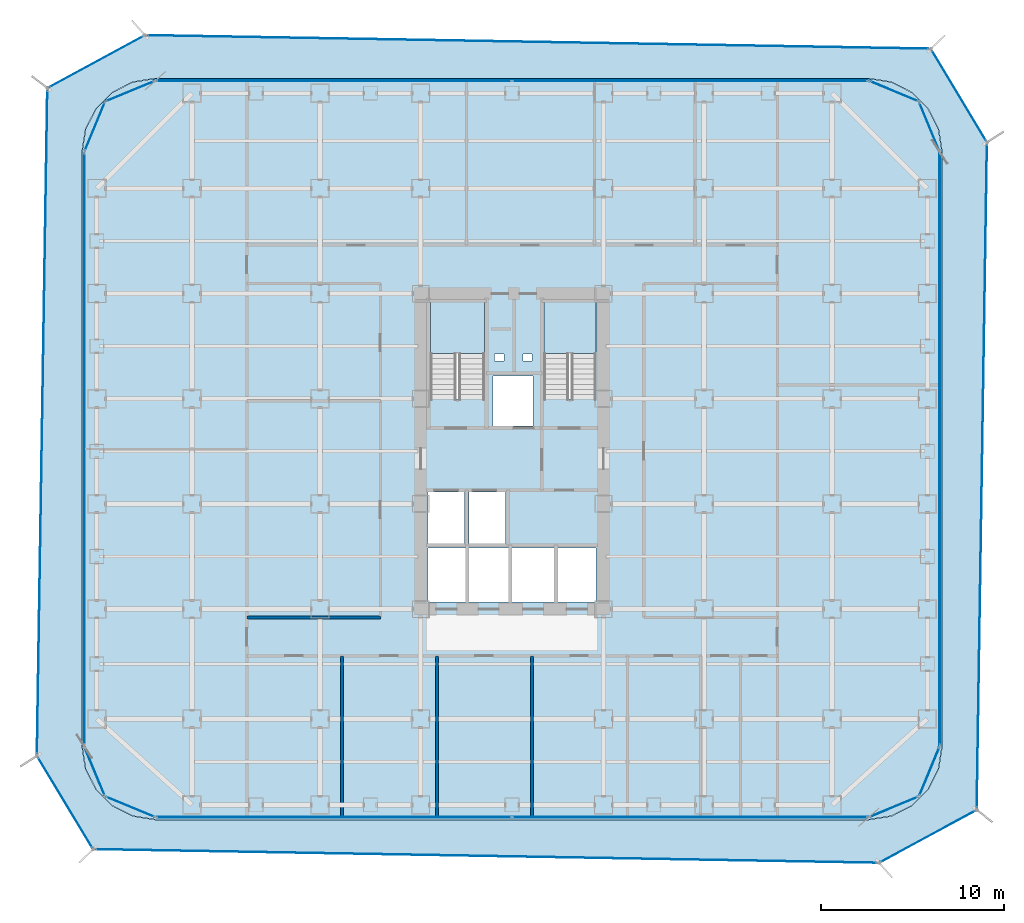
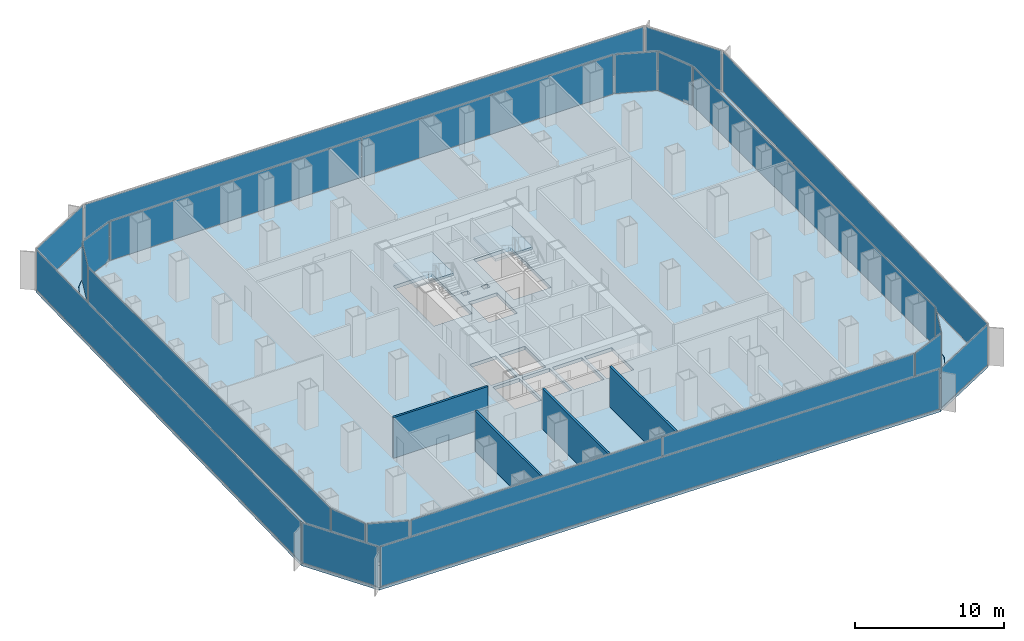
# One storey, part 16 of 22: 22 plates, 4 slabs, 4 walls, 22 elements without a shape of their own.
"""IFC4 building model written with IfcOpenShell, lengths in metres."""

from ifc_helpers import new_model, si_unit, direction, frame, frame_2d, origin, origin_2d, place, context, subcontext, project, spatial, polyline, rectangle, outline, extrude, source, transform, mapped, material, layer, layer_set, type_object, element, aggregate, save


model = new_model("IFC4")

# Units and contexts
model_context = context("Model", 3, precision=1e-05, world=origin(), true_north=direction((0.0, 1.0)))
body_context = subcontext(model_context, "Body", "Model", "MODEL_VIEW")
ifc_project = project(units=[si_unit("LENGTHUNIT", "METRE"), si_unit("AREAUNIT", "SQUARE_METRE"), si_unit("VOLUMEUNIT", "CUBIC_METRE"), si_unit("PLANEANGLEUNIT", "RADIAN"), si_unit("MASSUNIT", "GRAM", prefix="KILO")], contexts=[model_context])

# Site, building, storey
site_placement = place(None, origin())
site = spatial("IfcSite", under=ifc_project, at=site_placement, CompositionType="ELEMENT")
building_placement = place(site_placement, origin())
building = spatial("IfcBuilding", under=site, at=building_placement, Name="Kolveth Station Tower", CompositionType="ELEMENT")
storey_placement = place(building_placement, frame((0.0, 0.0, 54.89990234375)))
storey = spatial("IfcBuildingStorey", under=building, at=storey_placement, Name="L14", CompositionType="ELEMENT", Elevation=54.89990234375)

# Slab
ifc_material_1 = material(Name="Concrete C45/55", Category="concrete")
ifc_layer_1 = layer(ifc_material_1, 0.280029296875)
ifc_layer_set_1 = layer_set([ifc_layer_1], Name="Concrete C45/55")
slab_type_1 = type_object("IfcSlabType", Name="Slab_SF-280", PredefinedType="FLOOR", material=ifc_layer_set_1)
slab_1_placement = place(storey_placement, frame((0.0, 0.0, -0.27978515625)))
element("IfcSlab", 1, at=slab_1_placement, inside=storey, type_object=slab_type_1, Name="L14 Tower Structural Floor Slab", PredefinedType="FLOOR", context=body_context, shape_type="SweptSolid", body=[
    extrude(outline(polyline([(43.0, 0.0), (44.236083984375, 0.19580078125), (45.35107421875, 0.763916015625), (46.236083984375, 1.64892578125), (46.80419921875, 2.763916015625), (47.0, 4.0), (47.0, 36.5), (46.80419921875, 37.736083984375), (46.236083984375, 38.85107421875), (45.35107421875, 39.736083984375), (44.236083984375, 40.30419921875), (43.0, 40.5), (4.0, 40.5), (2.763916015625, 40.30419921875), (1.64892578125, 39.736083984375), (0.763916015625, 38.85107421875), (0.19580078125, 37.736083984375), (0.0, 36.5), (0.0, 4.0), (0.19580078125, 2.763916015625), (0.763916015625, 1.64892578125), (1.64892578125, 0.763916015625), (2.763916015625, 0.19580078125), (4.0, 0.0), (43.0, 0.0)]), holes=[polyline([(19.0400390625, 22.985107421875), (22.0, 22.985107421875), (22.0, 28.39990234375), (19.0400390625, 28.39990234375), (19.0400390625, 22.985107421875)]), polyline([(25.239990234375, 22.985107421875), (28.10009765625, 22.985107421875), (28.10009765625, 28.39990234375), (25.239990234375, 28.39990234375), (25.239990234375, 22.985107421875)]), polyline([(18.89990234375, 15.10009765625), (20.89990234375, 15.10009765625), (20.89990234375, 17.89990234375), (18.89990234375, 17.89990234375), (18.89990234375, 15.10009765625)]), polyline([(21.14990234375, 15.10009765625), (23.14990234375, 15.10009765625), (23.14990234375, 17.89990234375), (21.14990234375, 17.89990234375), (21.14990234375, 15.10009765625)]), polyline([(22.449951171875, 21.5), (24.64990234375, 21.5), (24.64990234375, 24.25), (22.449951171875, 24.25), (22.449951171875, 21.5)]), polyline([(18.89990234375, 11.89990234375), (20.949951171875, 11.89990234375), (20.949951171875, 14.85009765625), (18.89990234375, 14.85009765625), (18.89990234375, 11.89990234375)]), polyline([(21.14990234375, 11.89990234375), (23.300048828125, 11.89990234375), (23.300048828125, 14.85009765625), (21.14990234375, 14.85009765625), (21.14990234375, 11.89990234375)]), polyline([(23.5, 11.89990234375), (25.800048828125, 11.89990234375), (25.800048828125, 14.85009765625), (23.5, 14.85009765625), (23.5, 11.89990234375)]), polyline([(26.0, 11.89990234375), (28.10009765625, 11.89990234375), (28.10009765625, 14.85009765625), (26.0, 14.85009765625), (26.0, 11.89990234375)]), polyline([(22.550048828125, 25.050048828125), (23.050048828125, 25.050048828125), (23.050048828125, 25.449951171875), (22.550048828125, 25.449951171875), (22.550048828125, 25.050048828125)]), polyline([(24.10009765625, 25.050048828125), (24.60009765625, 25.050048828125), (24.60009765625, 25.449951171875), (24.10009765625, 25.449951171875), (24.10009765625, 25.050048828125)])]), origin(), (0.0, 0.0, 1.0), 0.27978515625),
])

# Stair, slab
ifc_material_2 = material(Name="Concrete C40/50", Category="concrete")
stair_type_1 = type_object("IfcStairType", Name="Stair_ST2", PredefinedType="HALF_TURN_STAIR", material=ifc_material_2)
stair_1_placement = place(storey_placement, origin())
stair_1 = element("IfcStair", 2, at=stair_1_placement, inside=storey, type_object=stair_type_1, Name="L14 Tower Exit Stair ST2", PredefinedType="HALF_TURN_STAIR")
ifc_layer_2 = layer(ifc_material_2, 0.18994140625)
ifc_layer_set_2 = layer_set([ifc_layer_2], Name="Concrete C40/50")
slab_type_2 = type_object("IfcSlabType", Name="Slab_SL-190", PredefinedType="LANDING", material=ifc_layer_set_2)
slab_2_placement = place(storey_placement, frame((0.0, 0.0, 1.60009765625)))
slab_2 = element("IfcSlab", 3, at=slab_2_placement, type_object=slab_type_2, Name="ST2 landing 1", PredefinedType="LANDING", context=body_context, shape_type="SweptSolid", body=[
    extrude(outline(polyline([(28.10009765625, 25.469970703125), (28.10009765625, 28.39990234375), (25.239990234375, 28.39990234375), (25.239990234375, 25.469970703125), (28.10009765625, 25.469970703125)])), origin(), (0.0, 0.0, 1.0), 0.199951171875),
])
aggregate(stair_1, [slab_2])

stair_type_2 = type_object("IfcStairType", Name="Stair_ST1", PredefinedType="HALF_TURN_STAIR", material=ifc_material_2)
stair_2_placement = place(storey_placement, origin())
stair_2 = element("IfcStair", 4, at=stair_2_placement, inside=storey, type_object=stair_type_2, Name="L14 Tower Exit Stair ST1", PredefinedType="HALF_TURN_STAIR")
ifc_layer_3 = layer(ifc_material_2, 0.205078125)
ifc_layer_set_3 = layer_set([ifc_layer_3], Name="Concrete C40/50")
slab_type_3 = type_object("IfcSlabType", Name="Slab_SL-205", PredefinedType="LANDING", material=ifc_layer_set_3)
slab_3_placement = place(storey_placement, frame((0.0, 0.0, 1.60009765625)))
slab_3 = element("IfcSlab", 5, at=slab_3_placement, type_object=slab_type_3, Name="ST1 landing 1", PredefinedType="LANDING", context=body_context, shape_type="SweptSolid", body=[
    extrude(outline(polyline([(22.0, 25.469970703125), (22.0, 28.39990234375), (19.0400390625, 28.39990234375), (19.0400390625, 25.469970703125), (22.0, 25.469970703125)])), origin(), (0.0, 0.0, 1.0), 0.199951171875),
])
aggregate(stair_2, [slab_3])

# Slab
ifc_layer_4 = layer(ifc_material_2, 0.2099609375)
ifc_layer_set_4 = layer_set([ifc_layer_4], Name="Concrete C40/50")
slab_type_4 = type_object("IfcSlabType", Name="Slab_ST-210", PredefinedType="FLOOR", material=ifc_layer_set_4)
slab_4_placement = place(storey_placement, frame((0.0, 0.0, -0.2099609375)))
element("IfcSlab", 6, at=slab_4_placement, inside=storey, type_object=slab_type_4, Name="L14 Double-Skin Cavity Structural Ledger Ring", PredefinedType="FLOOR", context=body_context, shape_type="SweptSolid", body=[
    extrude(outline(polyline([(0.605712890625, -1.62646484375), (-2.469482421875, 3.48046875), (-1.898681640625, 39.976318359375), (3.433837890625, 42.869384765625), (46.396240234375, 42.1298828125), (49.465087890625, 37.018798828125), (48.905029296875, 0.52001953125), (43.56640625, -2.37158203125), (0.605712890625, -1.62646484375)]), holes=[polyline([(43.002197265625, -0.014892578125), (44.23828125, 0.180908203125), (44.242919921875, 0.182373046875), (45.35791015625, 0.75048828125), (45.36181640625, 0.75341796875), (46.24658203125, 1.63818359375), (46.24951171875, 1.64208984375), (46.817626953125, 2.757080078125), (46.819091796875, 2.76171875), (47.014892578125, 3.997802734375), (47.014892578125, 4.0), (47.014892578125, 36.5), (47.014892578125, 36.502197265625), (46.819091796875, 37.73828125), (46.817626953125, 37.742919921875), (46.24951171875, 38.85791015625), (46.24658203125, 38.86181640625), (45.36181640625, 39.74658203125), (45.35791015625, 39.74951171875), (44.242919921875, 40.317626953125), (44.23828125, 40.319091796875), (43.002197265625, 40.514892578125), (43.0, 40.514892578125), (4.0, 40.514892578125), (3.997802734375, 40.514892578125), (2.76171875, 40.319091796875), (2.757080078125, 40.317626953125), (1.64208984375, 39.74951171875), (1.63818359375, 39.74658203125), (0.75341796875, 38.86181640625), (0.75048828125, 38.85791015625), (0.182373046875, 37.742919921875), (0.180908203125, 37.73828125), (-0.014892578125, 36.502197265625), (-0.014892578125, 36.5), (-0.014892578125, 4.0), (-0.014892578125, 3.997802734375), (0.180908203125, 2.76171875), (0.182373046875, 2.757080078125), (0.75048828125, 1.64208984375), (0.75341796875, 1.63818359375), (1.63818359375, 0.75341796875), (1.64208984375, 0.75048828125), (2.757080078125, 0.182373046875), (2.76171875, 0.180908203125), (3.997802734375, -0.014892578125), (4.0, -0.014892578125), (43.0, -0.014892578125), (43.002197265625, -0.014892578125)])]), origin(), (0.0, 0.0, 1.0), 0.2099609375),
])

# Curtain wall, plate
ifc_material_3 = material(Name="Aluminium 6063-T6 and low-E dark glass", Category="aluminium")
ifc_layer_5 = layer(ifc_material_3, 0.179931640625)
ifc_layer_set_5 = layer_set([ifc_layer_5], Name="Aluminium 6063-T6 and low-E dark glass")
curtain_wall_type_1 = type_object("IfcCurtainWallType", Name="CurtainWall_CW-Z1", PredefinedType="NOTDEFINED", material=ifc_layer_set_5)
curtain_wall_1_placement = place(storey_placement, origin())
curtain_wall_1 = element("IfcCurtainWall", 7, at=curtain_wall_1_placement, inside=storey, type_object=curtain_wall_type_1, Name="L14 Inner Thermal Curtain Wall 1", PredefinedType="NOTDEFINED")
ifc_material_4 = material(Name="Architectural low-E dark glass", Category="glass")
ifc_layer_6 = layer(ifc_material_4, 0.035888671875)
ifc_layer_set_6 = layer_set([ifc_layer_6], Name="Architectural low-E dark glass")
plate_type_1 = type_object("IfcPlateType", Name="Panel_GL1", PredefinedType="CURTAIN_PANEL", material=ifc_layer_set_6)
shared_shape_1 = source(origin(), body_context, "Body", "SweptSolid", [
    extrude(rectangle(XDim=2.83349609375, YDim=0.035888671875, at=origin_2d()), origin(), (0.0, 0.0, 1.0), 3.18408203125),
])
plate_1_placement = place(storey_placement, frame((44.371826171875, 0.688232421875, 0.068115234375), z_axis=(0.0, 0.0, 1.0), x_axis=(0.923883857728, 0.382672990201, 0.0)))
plate_1 = element("IfcPlate", 8, at=plate_1_placement, type_object=plate_type_1, Name="CW-Z1 panel 1.1", PredefinedType="CURTAIN_PANEL", context=body_context, shape_type="MappedRepresentation", body=[
    mapped(shared_shape_1, transform((0.0, 0.0, 0.0), x_axis=(1.0, 0.0, 0.0), y_axis=(0.0, 1.0, 0.0), z_axis=(0.0, 0.0, 1.0), scale=1.0)),
])
aggregate(curtain_wall_1, [plate_1])

curtain_wall_2_placement = place(storey_placement, origin())
curtain_wall_2 = element("IfcCurtainWall", 9, at=curtain_wall_2_placement, inside=storey, type_object=curtain_wall_type_1, Name="L14 Inner Thermal Curtain Wall 2", PredefinedType="NOTDEFINED")
plate_2_placement = place(storey_placement, frame((46.311767578125, 2.628173828125, 0.068115234375), z_axis=(0.0, 0.0, 1.0), x_axis=(0.382672990201, 0.923883857728, 0.0)))
plate_2 = element("IfcPlate", 10, at=plate_2_placement, type_object=plate_type_1, Name="CW-Z1 panel 1.1", PredefinedType="CURTAIN_PANEL", context=body_context, shape_type="MappedRepresentation", body=[
    mapped(shared_shape_1, transform((0.0, 0.0, 0.0), x_axis=(1.0, 0.0, 0.0), y_axis=(0.0, 1.0, 0.0), z_axis=(0.0, 0.0, 1.0), scale=1.0)),
])
aggregate(curtain_wall_2, [plate_2])

curtain_wall_3_placement = place(storey_placement, origin())
curtain_wall_3 = element("IfcCurtainWall", 11, at=curtain_wall_3_placement, inside=storey, type_object=curtain_wall_type_1, Name="L14 Inner Thermal Curtain Wall 4", PredefinedType="NOTDEFINED")
plate_3_placement = place(storey_placement, frame((46.311767578125, 37.871826171875, 0.068115234375), z_axis=(0.0, 0.0, 1.0), x_axis=(-0.382672990201, 0.923883857728, 0.0)))
plate_3 = element("IfcPlate", 12, at=plate_3_placement, type_object=plate_type_1, Name="CW-Z1 panel 1.1", PredefinedType="CURTAIN_PANEL", context=body_context, shape_type="MappedRepresentation", body=[
    mapped(shared_shape_1, transform((0.0, 0.0, 0.0), x_axis=(1.0, 0.0, 0.0), y_axis=(0.0, 1.0, 0.0), z_axis=(0.0, 0.0, 1.0), scale=1.0)),
])
aggregate(curtain_wall_3, [plate_3])

curtain_wall_4_placement = place(storey_placement, origin())
curtain_wall_4 = element("IfcCurtainWall", 13, at=curtain_wall_4_placement, inside=storey, type_object=curtain_wall_type_1, Name="L14 Inner Thermal Curtain Wall 5", PredefinedType="NOTDEFINED")
plate_4_placement = place(storey_placement, frame((44.371826171875, 39.811767578125, 0.068115234375), z_axis=(0.0, 0.0, 1.0), x_axis=(-0.923883857728, 0.382672990201, 0.0)))
plate_4 = element("IfcPlate", 14, at=plate_4_placement, type_object=plate_type_1, Name="CW-Z1 panel 1.1", PredefinedType="CURTAIN_PANEL", context=body_context, shape_type="MappedRepresentation", body=[
    mapped(shared_shape_1, transform((0.0, 0.0, 0.0), x_axis=(1.0, 0.0, 0.0), y_axis=(0.0, 1.0, 0.0), z_axis=(0.0, 0.0, 1.0), scale=1.0)),
])
aggregate(curtain_wall_4, [plate_4])

curtain_wall_5_placement = place(storey_placement, origin())
curtain_wall_5 = element("IfcCurtainWall", 15, at=curtain_wall_5_placement, inside=storey, type_object=curtain_wall_type_1, Name="L14 Inner Thermal Curtain Wall 7", PredefinedType="NOTDEFINED")
plate_5_placement = place(storey_placement, frame((2.628173828125, 39.811767578125, 0.068115234375), z_axis=(0.0, 0.0, 1.0), x_axis=(-0.923883857728, -0.382672990201, 0.0)))
plate_5 = element("IfcPlate", 16, at=plate_5_placement, type_object=plate_type_1, Name="CW-Z1 panel 1.1", PredefinedType="CURTAIN_PANEL", context=body_context, shape_type="MappedRepresentation", body=[
    mapped(shared_shape_1, transform((0.0, 0.0, 0.0), x_axis=(1.0, 0.0, 0.0), y_axis=(0.0, 1.0, 0.0), z_axis=(0.0, 0.0, 1.0), scale=1.0)),
])
aggregate(curtain_wall_5, [plate_5])

curtain_wall_6_placement = place(storey_placement, origin())
curtain_wall_6 = element("IfcCurtainWall", 17, at=curtain_wall_6_placement, inside=storey, type_object=curtain_wall_type_1, Name="L14 Inner Thermal Curtain Wall 8", PredefinedType="NOTDEFINED")
plate_6_placement = place(storey_placement, frame((0.688232421875, 37.871826171875, 0.068115234375), z_axis=(0.0, 0.0, 1.0), x_axis=(-0.382672990201, -0.923883857728, 0.0)))
plate_6 = element("IfcPlate", 18, at=plate_6_placement, type_object=plate_type_1, Name="CW-Z1 panel 1.1", PredefinedType="CURTAIN_PANEL", context=body_context, shape_type="MappedRepresentation", body=[
    mapped(shared_shape_1, transform((0.0, 0.0, 0.0), x_axis=(1.0, 0.0, 0.0), y_axis=(0.0, 1.0, 0.0), z_axis=(0.0, 0.0, 1.0), scale=1.0)),
])
aggregate(curtain_wall_6, [plate_6])

curtain_wall_7_placement = place(storey_placement, origin())
curtain_wall_7 = element("IfcCurtainWall", 19, at=curtain_wall_7_placement, inside=storey, type_object=curtain_wall_type_1, Name="L14 Inner Thermal Curtain Wall 10", PredefinedType="NOTDEFINED")
plate_7_placement = place(storey_placement, frame((0.688232421875, 2.628173828125, 0.068115234375), z_axis=(0.0, 0.0, 1.0), x_axis=(0.382672990201, -0.923883857728, 0.0)))
plate_7 = element("IfcPlate", 20, at=plate_7_placement, type_object=plate_type_1, Name="CW-Z1 panel 1.1", PredefinedType="CURTAIN_PANEL", context=body_context, shape_type="MappedRepresentation", body=[
    mapped(shared_shape_1, transform((0.0, 0.0, 0.0), x_axis=(1.0, 0.0, 0.0), y_axis=(0.0, 1.0, 0.0), z_axis=(0.0, 0.0, 1.0), scale=1.0)),
])
aggregate(curtain_wall_7, [plate_7])

curtain_wall_8_placement = place(storey_placement, origin())
curtain_wall_8 = element("IfcCurtainWall", 21, at=curtain_wall_8_placement, inside=storey, type_object=curtain_wall_type_1, Name="L14 Inner Thermal Curtain Wall 11", PredefinedType="NOTDEFINED")
plate_8_placement = place(storey_placement, frame((2.628173828125, 0.688232421875, 0.068115234375), z_axis=(0.0, 0.0, 1.0), x_axis=(0.923883857728, -0.382672990201, 0.0)))
plate_8 = element("IfcPlate", 22, at=plate_8_placement, type_object=plate_type_1, Name="CW-Z1 panel 1.1", PredefinedType="CURTAIN_PANEL", context=body_context, shape_type="MappedRepresentation", body=[
    mapped(shared_shape_1, transform((0.0, 0.0, 0.0), x_axis=(1.0, 0.0, 0.0), y_axis=(0.0, 1.0, 0.0), z_axis=(0.0, 0.0, 1.0), scale=1.0)),
])
aggregate(curtain_wall_8, [plate_8])

curtain_wall_9_placement = place(storey_placement, origin())
curtain_wall_9 = element("IfcCurtainWall", 23, at=curtain_wall_9_placement, inside=storey, type_object=curtain_wall_type_1, Name="L14 Inner Thermal Curtain Wall 3", PredefinedType="NOTDEFINED")
shared_shape_2 = source(origin(), body_context, "Body", "SweptSolid", [
    extrude(rectangle(XDim=32.364013671875, YDim=0.035888671875, at=origin_2d()), origin(), (0.0, 0.0, 1.0), 3.18408203125),
])
plate_9_placement = place(storey_placement, frame((46.8798828125, 20.25, 0.068115234375), z_axis=(0.0, 0.0, 1.0), x_axis=(0.0, 1.0, 0.0)))
plate_9 = element("IfcPlate", 24, at=plate_9_placement, type_object=plate_type_1, Name="CW-Z1 panel 1.1", PredefinedType="CURTAIN_PANEL", context=body_context, shape_type="MappedRepresentation", body=[
    mapped(shared_shape_2, transform((0.0, 0.0, 0.0), x_axis=(1.0, 0.0, 0.0), y_axis=(0.0, 1.0, 0.0), z_axis=(0.0, 0.0, 1.0), scale=1.0)),
])
aggregate(curtain_wall_9, [plate_9])

curtain_wall_10_placement = place(storey_placement, origin())
curtain_wall_10 = element("IfcCurtainWall", 25, at=curtain_wall_10_placement, inside=storey, type_object=curtain_wall_type_1, Name="L14 Inner Thermal Curtain Wall 9", PredefinedType="NOTDEFINED")
plate_10_placement = place(storey_placement, frame((0.1201171875, 20.25, 0.068115234375), z_axis=(0.0, 0.0, 1.0), x_axis=(0.0, -1.0, 0.0)))
plate_10 = element("IfcPlate", 26, at=plate_10_placement, type_object=plate_type_1, Name="CW-Z1 panel 1.1", PredefinedType="CURTAIN_PANEL", context=body_context, shape_type="MappedRepresentation", body=[
    mapped(shared_shape_2, transform((0.0, 0.0, 0.0), x_axis=(1.0, 0.0, 0.0), y_axis=(0.0, 1.0, 0.0), z_axis=(0.0, 0.0, 1.0), scale=1.0)),
])
aggregate(curtain_wall_10, [plate_10])

# Curtain wall, plates
curtain_wall_11_placement = place(storey_placement, origin())
curtain_wall_11 = element("IfcCurtainWall", 27, at=curtain_wall_11_placement, inside=storey, type_object=curtain_wall_type_1, Name="L14 Inner Thermal Curtain Wall 6", PredefinedType="NOTDEFINED")
shared_shape_3 = source(origin(), body_context, "Body", "SweptSolid", [
    extrude(rectangle(XDim=19.401611328125, YDim=0.035888671875, at=origin_2d()), origin(), (0.0, 0.0, 1.0), 3.18408203125),
])
plate_11_placement = place(storey_placement, frame((33.231201171875, 40.3798828125, 0.068115234375), z_axis=(0.0, 0.0, 1.0), x_axis=(-1.0, 0.0, 0.0)))
plate_11 = element("IfcPlate", 28, at=plate_11_placement, type_object=plate_type_1, Name="CW-Z1 panel 1.1", PredefinedType="CURTAIN_PANEL", context=body_context, shape_type="MappedRepresentation", body=[
    mapped(shared_shape_3, transform((0.0, 0.0, 0.0), x_axis=(1.0, 0.0, 0.0), y_axis=(0.0, 1.0, 0.0), z_axis=(0.0, 0.0, 1.0), scale=1.0)),
])
plate_12_placement = place(storey_placement, frame((13.768798828125, 40.3798828125, 0.068115234375), z_axis=(0.0, 0.0, 1.0), x_axis=(-1.0, 0.0, 0.0)))
plate_12 = element("IfcPlate", 29, at=plate_12_placement, type_object=plate_type_1, Name="CW-Z1 panel 2.1", PredefinedType="CURTAIN_PANEL", context=body_context, shape_type="MappedRepresentation", body=[
    mapped(shared_shape_3, transform((0.0, 0.0, 0.0), x_axis=(1.0, 0.0, 0.0), y_axis=(0.0, 1.0, 0.0), z_axis=(0.0, 0.0, 1.0), scale=1.0)),
])
aggregate(curtain_wall_11, [plate_11, plate_12])

curtain_wall_12_placement = place(storey_placement, origin())
curtain_wall_12 = element("IfcCurtainWall", 30, at=curtain_wall_12_placement, inside=storey, type_object=curtain_wall_type_1, Name="L14 Inner Thermal Curtain Wall 12", PredefinedType="NOTDEFINED")
plate_13_placement = place(storey_placement, frame((13.768798828125, 0.1201171875, 0.068115234375), z_axis=(0.0, 0.0, 1.0), x_axis=(1.0, 0.0, 0.0)))
plate_13 = element("IfcPlate", 31, at=plate_13_placement, type_object=plate_type_1, Name="CW-Z1 panel 1.1", PredefinedType="CURTAIN_PANEL", context=body_context, shape_type="MappedRepresentation", body=[
    mapped(shared_shape_3, transform((0.0, 0.0, 0.0), x_axis=(1.0, 0.0, 0.0), y_axis=(0.0, 1.0, 0.0), z_axis=(0.0, 0.0, 1.0), scale=1.0)),
])
plate_14_placement = place(storey_placement, frame((33.231201171875, 0.1201171875, 0.068115234375), z_axis=(0.0, 0.0, 1.0), x_axis=(1.0, 0.0, 0.0)))
plate_14 = element("IfcPlate", 32, at=plate_14_placement, type_object=plate_type_1, Name="CW-Z1 panel 2.1", PredefinedType="CURTAIN_PANEL", context=body_context, shape_type="MappedRepresentation", body=[
    mapped(shared_shape_3, transform((0.0, 0.0, 0.0), x_axis=(1.0, 0.0, 0.0), y_axis=(0.0, 1.0, 0.0), z_axis=(0.0, 0.0, 1.0), scale=1.0)),
])
aggregate(curtain_wall_12, [plate_13, plate_14])

# Curtain wall, plate
ifc_material_5 = material(Name="Black anodized aluminium 6063-T6 and dark solar glass", Category="aluminium")
ifc_layer_7 = layer(ifc_material_5, 0.159912109375)
ifc_layer_set_7 = layer_set([ifc_layer_7], Name="Black anodized aluminium 6063-T6 and dark solar glass")
curtain_wall_type_2 = type_object("IfcCurtainWallType", Name="OUTER SKIN CW-OS", PredefinedType="NOTDEFINED", material=ifc_layer_set_7)
curtain_wall_13_placement = place(storey_placement, origin())
curtain_wall_13 = element("IfcCurtainWall", 33, at=curtain_wall_13_placement, inside=storey, type_object=curtain_wall_type_2, Name="L14 Outer Ventilated Skin Curtain Wall 1", PredefinedType="NOTDEFINED")
ifc_layer_8 = layer(ifc_material_4, 0.028076171875)
ifc_layer_set_8 = layer_set([ifc_layer_8], Name="Architectural low-E dark glass")
plate_type_2 = type_object("IfcPlateType", Name="Panel_GL-OS", PredefinedType="CURTAIN_PANEL", material=ifc_layer_set_8)
shared_shape_4 = source(origin(), body_context, "Body", "SweptSolid", [
    extrude(rectangle(XDim=5.9052734375, YDim=0.028076171875, at=origin_2d()), origin(), (0.0, 0.0, 1.0), 3.243896484375),
])
plate_15_placement = place(storey_placement, frame((46.23583984375, -0.92578125, 0.0732421875), z_axis=(0.0, 0.0, 1.0), x_axis=(0.879315533216, 0.476239638256, 0.0)))
plate_15 = element("IfcPlate", 34, at=plate_15_placement, type_object=plate_type_2, Name="CW-OS panel 1.1", PredefinedType="CURTAIN_PANEL", context=body_context, shape_type="MappedRepresentation", body=[
    mapped(shared_shape_4, transform((0.0, 0.0, 0.0), x_axis=(1.0, 0.0, 0.0), y_axis=(0.0, 1.0, 0.0), z_axis=(0.0, 0.0, 1.0), scale=1.0)),
])
aggregate(curtain_wall_13, [plate_15])

curtain_wall_14_placement = place(storey_placement, origin())
curtain_wall_14 = element("IfcCurtainWall", 35, at=curtain_wall_14_placement, inside=storey, type_object=curtain_wall_type_2, Name="L14 Outer Ventilated Skin Curtain Wall 2", PredefinedType="NOTDEFINED")
shared_shape_5 = source(origin(), body_context, "Body", "SweptSolid", [
    extrude(rectangle(XDim=36.33740234375, YDim=0.028076171875, at=origin_2d()), origin(), (0.0, 0.0, 1.0), 3.243896484375),
])
plate_16_placement = place(storey_placement, frame((49.18505859375, 18.769287109375, 0.0732421875), z_axis=(0.0, 0.0, 1.0), x_axis=(0.015341080531, 0.9998823187, 0.0)))
plate_16 = element("IfcPlate", 36, at=plate_16_placement, type_object=plate_type_2, Name="CW-OS panel 1.1", PredefinedType="CURTAIN_PANEL", context=body_context, shape_type="MappedRepresentation", body=[
    mapped(shared_shape_5, transform((0.0, 0.0, 0.0), x_axis=(1.0, 0.0, 0.0), y_axis=(0.0, 1.0, 0.0), z_axis=(0.0, 0.0, 1.0), scale=1.0)),
])
aggregate(curtain_wall_14, [plate_16])

curtain_wall_15_placement = place(storey_placement, origin())
curtain_wall_15 = element("IfcCurtainWall", 37, at=curtain_wall_15_placement, inside=storey, type_object=curtain_wall_type_2, Name="L14 Outer Ventilated Skin Curtain Wall 3", PredefinedType="NOTDEFINED")
shared_shape_6 = source(origin(), body_context, "Body", "SweptSolid", [
    extrude(rectangle(XDim=5.795654296875, YDim=0.028076171875, at=origin_2d()), origin(), (0.0, 0.0, 1.0), 3.243896484375),
])
plate_17_placement = place(storey_placement, frame((47.9306640625, 39.574462890625, 0.0732421875), z_axis=(0.0, 0.0, 1.0), x_axis=(-0.514779406387, 0.85732267132, 0.0)))
plate_17 = element("IfcPlate", 38, at=plate_17_placement, type_object=plate_type_2, Name="CW-OS panel 1.1", PredefinedType="CURTAIN_PANEL", context=body_context, shape_type="MappedRepresentation", body=[
    mapped(shared_shape_6, transform((0.0, 0.0, 0.0), x_axis=(1.0, 0.0, 0.0), y_axis=(0.0, 1.0, 0.0), z_axis=(0.0, 0.0, 1.0), scale=1.0)),
])
aggregate(curtain_wall_15, [plate_17])

curtain_wall_16_placement = place(storey_placement, origin())
curtain_wall_16 = element("IfcCurtainWall", 39, at=curtain_wall_16_placement, inside=storey, type_object=curtain_wall_type_2, Name="L14 Outer Ventilated Skin Curtain Wall 4", PredefinedType="NOTDEFINED")
shared_shape_7 = source(origin(), body_context, "Body", "SweptSolid", [
    extrude(rectangle(XDim=42.802734375, YDim=0.028076171875, at=origin_2d()), origin(), (0.0, 0.0, 1.0), 3.243896484375),
])
plate_18_placement = place(storey_placement, frame((24.9150390625, 42.499755859375, 0.0732421875), z_axis=(0.0, 0.0, 1.0), x_axis=(-0.999851893949, 0.017210176238, 0.0)))
plate_18 = element("IfcPlate", 40, at=plate_18_placement, type_object=plate_type_2, Name="CW-OS panel 1.1", PredefinedType="CURTAIN_PANEL", context=body_context, shape_type="MappedRepresentation", body=[
    mapped(shared_shape_7, transform((0.0, 0.0, 0.0), x_axis=(1.0, 0.0, 0.0), y_axis=(0.0, 1.0, 0.0), z_axis=(0.0, 0.0, 1.0), scale=1.0)),
])
aggregate(curtain_wall_16, [plate_18])

curtain_wall_17_placement = place(storey_placement, origin())
curtain_wall_17 = element("IfcCurtainWall", 41, at=curtain_wall_17_placement, inside=storey, type_object=curtain_wall_type_2, Name="L14 Outer Ventilated Skin Curtain Wall 5", PredefinedType="NOTDEFINED")
shared_shape_8 = source(origin(), body_context, "Body", "SweptSolid", [
    extrude(rectangle(XDim=5.900634765625, YDim=0.028076171875, at=origin_2d()), origin(), (0.0, 0.0, 1.0), 3.243896484375),
])
plate_19_placement = place(storey_placement, frame((0.767578125, 41.4228515625, 0.0732421875), z_axis=(0.0, 0.0, 1.0), x_axis=(-0.878976819829, -0.476864498787, 0.0)))
plate_19 = element("IfcPlate", 42, at=plate_19_placement, type_object=plate_type_2, Name="CW-OS panel 1.1", PredefinedType="CURTAIN_PANEL", context=body_context, shape_type="MappedRepresentation", body=[
    mapped(shared_shape_8, transform((0.0, 0.0, 0.0), x_axis=(1.0, 0.0, 0.0), y_axis=(0.0, 1.0, 0.0), z_axis=(0.0, 0.0, 1.0), scale=1.0)),
])
aggregate(curtain_wall_17, [plate_19])

curtain_wall_18_placement = place(storey_placement, origin())
curtain_wall_18 = element("IfcCurtainWall", 43, at=curtain_wall_18_placement, inside=storey, type_object=curtain_wall_type_2, Name="L14 Outer Ventilated Skin Curtain Wall 6", PredefinedType="NOTDEFINED")
shared_shape_9 = source(origin(), body_context, "Body", "SweptSolid", [
    extrude(rectangle(XDim=36.33447265625, YDim=0.028076171875, at=origin_2d()), origin(), (0.0, 0.0, 1.0), 3.243896484375),
])
plate_20_placement = place(storey_placement, frame((-2.18408203125, 21.728515625, 0.0732421875), z_axis=(0.0, 0.0, 1.0), x_axis=(-0.015640939495, -0.999877673024, 0.0)))
plate_20 = element("IfcPlate", 44, at=plate_20_placement, type_object=plate_type_2, Name="CW-OS panel 1.1", PredefinedType="CURTAIN_PANEL", context=body_context, shape_type="MappedRepresentation", body=[
    mapped(shared_shape_9, transform((0.0, 0.0, 0.0), x_axis=(1.0, 0.0, 0.0), y_axis=(0.0, 1.0, 0.0), z_axis=(0.0, 0.0, 1.0), scale=1.0)),
])
aggregate(curtain_wall_18, [plate_20])

curtain_wall_19_placement = place(storey_placement, origin())
curtain_wall_19 = element("IfcCurtainWall", 45, at=curtain_wall_19_placement, inside=storey, type_object=curtain_wall_type_2, Name="L14 Outer Ventilated Skin Curtain Wall 7", PredefinedType="NOTDEFINED")
shared_shape_10 = source(origin(), body_context, "Body", "SweptSolid", [
    extrude(rectangle(XDim=5.79541015625, YDim=0.028076171875, at=origin_2d()), origin(), (0.0, 0.0, 1.0), 3.243896484375),
])
plate_21_placement = place(storey_placement, frame((-0.931884765625, 0.927001953125, 0.0732421875), z_axis=(0.0, 0.0, 1.0), x_axis=(0.515864189537, -0.856670378823, 0.0)))
plate_21 = element("IfcPlate", 46, at=plate_21_placement, type_object=plate_type_2, Name="CW-OS panel 1.1", PredefinedType="CURTAIN_PANEL", context=body_context, shape_type="MappedRepresentation", body=[
    mapped(shared_shape_10, transform((0.0, 0.0, 0.0), x_axis=(1.0, 0.0, 0.0), y_axis=(0.0, 1.0, 0.0), z_axis=(0.0, 0.0, 1.0), scale=1.0)),
])
aggregate(curtain_wall_19, [plate_21])

curtain_wall_20_placement = place(storey_placement, origin())
curtain_wall_20 = element("IfcCurtainWall", 47, at=curtain_wall_20_placement, inside=storey, type_object=curtain_wall_type_2, Name="L14 Outer Ventilated Skin Curtain Wall 8", PredefinedType="NOTDEFINED")
shared_shape_11 = source(origin(), body_context, "Body", "SweptSolid", [
    extrude(rectangle(XDim=42.80126953125, YDim=0.028076171875, at=origin_2d()), origin(), (0.0, 0.0, 1.0), 3.243896484375),
])
plate_22_placement = place(storey_placement, frame((22.086181640625, -1.9990234375, 0.0732421875), z_axis=(0.0, 0.0, 1.0), x_axis=(0.999849671996, -0.017338783395, 0.0)))
plate_22 = element("IfcPlate", 48, at=plate_22_placement, type_object=plate_type_2, Name="CW-OS panel 1.1", PredefinedType="CURTAIN_PANEL", context=body_context, shape_type="MappedRepresentation", body=[
    mapped(shared_shape_11, transform((0.0, 0.0, 0.0), x_axis=(1.0, 0.0, 0.0), y_axis=(0.0, 1.0, 0.0), z_axis=(0.0, 0.0, 1.0), scale=1.0)),
])
aggregate(curtain_wall_20, [plate_22])

# Walls
ifc_material_6 = material(Name="Acoustic double-stud gypsum partition")
ifc_layer_9 = layer(ifc_material_6, 0.1650390625)
ifc_layer_set_9 = layer_set([ifc_layer_9], Name="Acoustic double-stud gypsum partition")
wall_type = type_object("IfcWallType", Name="Wall_IW-165", PredefinedType="PARTITIONING", material=ifc_layer_set_9)
wall_placement = place(storey_placement, frame((9.0, 11.050048828125, 0.0), z_axis=(0.0, 0.0, 1.0), x_axis=(1.0, 0.0, 0.0)))
element("IfcWall", 49, at=wall_placement, inside=storey, type_object=wall_type, Name="L14 Partition Wall WL-L14-OSWT", PredefinedType="PARTITIONING", context=body_context, shape_type="SweptSolid", body=[
    extrude(rectangle(XDim=7.300048828125, YDim=0.1650390625, at=frame_2d((3.64990234375, 0.0))), origin(), (0.0, 0.0, 1.0), 3.320068359375),
])
for number, where, z_axis, x_axis, name in (
    (50, (14.199951171875, 0.159912109375, 0.0), (0.0, 0.0, 1.0), (0.0, 1.0, 0.0), "L14 Partition Wall WL-L14-OS-P1"),
    (51, (19.39990234375, 0.159912109375, 0.0), (0.0, 0.0, 1.0), (0.0, 1.0, 0.0), "L14 Partition Wall WL-L14-OS-P2"),
    (52, (24.60009765625, 0.159912109375, 0.0), (0.0, 0.0, 1.0), (0.0, 1.0, 0.0), "L14 Partition Wall WL-L14-OS-P3"),
):
    element("IfcWall", number, at=place(storey_placement, frame(where, z_axis=z_axis, x_axis=x_axis)), inside=storey, type_object=wall_type, Name=name, PredefinedType="PARTITIONING", context=body_context, shape_type="SweptSolid", body=[
        extrude(rectangle(XDim=8.7900390625, YDim=0.1650390625, at=frame_2d((4.39501953125, 0.0))), origin(), (0.0, 0.0, 1.0), 3.320068359375),
    ])

save(model, "model.ifc")
